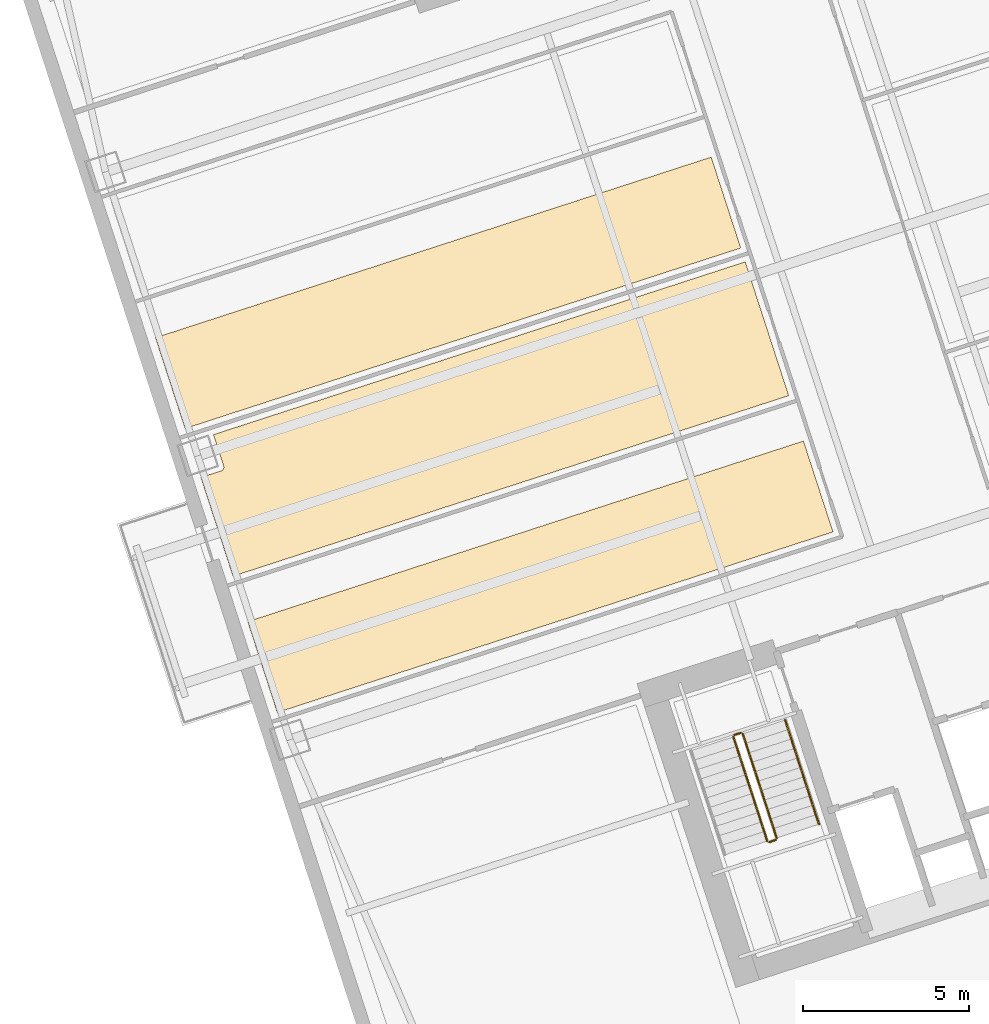
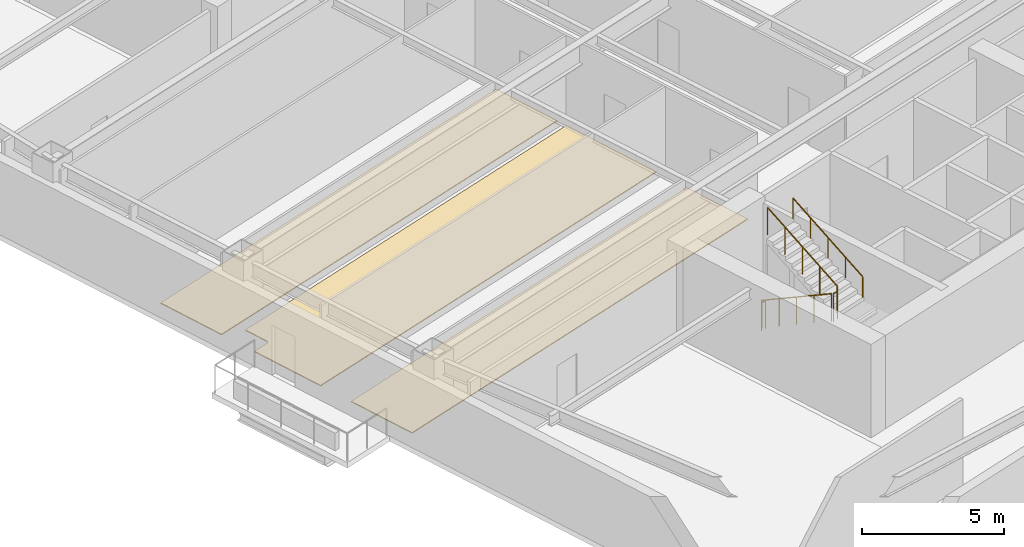
# One storey, part 15 of 18: 5 railings, 3 coverings.
"""IFC4 building model written with IfcOpenShell, lengths in metres."""

import ifcopenshell
import ifcopenshell.guid

model = None  # the IFC model being written
_history = None  # IfcOwnerHistory: only IFC2X3 demands one
_inside = {}  # id of a spatial element -> (the spatial element, [elements in it])
_under = {}  # id of a project, library or spatial element -> (it, [spatial elements below it])
_declared = {}  # id of a project -> (the project, [libraries it declares])
_typed = {}  # id of a type object -> (the type object, [elements of that type])
_made_of = {}  # id of a material, layer set ... -> (it, [elements and type objects made of it])


def new_model(schema):
    """Start an empty IFC model of exactly this schema.

    Asked for "IFC4X3", IfcOpenShell would pick the latest addendum, in which some entities
    have other attributes; the version numbers below select the first issue.
    IFC2X3 requires an IfcOwnerHistory on every rooted entity: one is made here for all.
    """
    global model, _history
    if schema == "IFC4X3":
        model = ifcopenshell.file(schema_version=(4, 3, 0, 0))
    else:
        model = ifcopenshell.file(schema=schema)
    _inside.clear()
    _under.clear()
    _declared.clear()
    _typed.clear()
    _made_of.clear()
    _history = None
    if model.schema == "IFC2X3":
        org = make("IfcOrganization", Name="unknown")
        user = make(
            "IfcPersonAndOrganization",
            ThePerson=make("IfcPerson", FamilyName="unknown"),
            TheOrganization=org,
        )
        app = make(
            "IfcApplication",
            ApplicationDeveloper=org,
            Version="unknown",
            ApplicationFullName="unknown",
            ApplicationIdentifier="unknown",
        )
        _history = make(
            "IfcOwnerHistory",
            OwningUser=user,
            OwningApplication=app,
            ChangeAction="ADDED",
            CreationDate=0,
        )
    return model


def make(cls, **values):
    """One entity of the class cls with the attributes given. An attribute that is None is left unset."""
    return model.create_entity(
        cls, **{name: value for name, value in values.items() if value is not None}
    )


def rooted(cls, **values):
    """An entity with a GlobalId (a new one), such as an element, a storey or a relation."""
    return make(cls, GlobalId=ifcopenshell.guid.new(), OwnerHistory=_history, **values)


def si_unit(unit_type, name, prefix=None):
    """IfcSIUnit, for example si_unit("LENGTHUNIT", "METRE", prefix="MILLI")."""
    return make("IfcSIUnit", UnitType=unit_type, Prefix=prefix, Name=name)


def assignment(units):
    """IfcUnitAssignment: the units of a project."""
    return None if units is None else make("IfcUnitAssignment", Units=units)


def point(xyz):
    """IfcCartesianPoint."""
    return None if xyz is None else make("IfcCartesianPoint", Coordinates=xyz)


def direction(xyz):
    """IfcDirection."""
    return None if xyz is None else make("IfcDirection", DirectionRatios=xyz)


def frame(location, z_axis=None, x_axis=None):
    """IfcAxis2Placement3D, a coordinate frame: its origin and axes. An axis left out is left unset."""
    return make(
        "IfcAxis2Placement3D",
        Location=point(location),
        Axis=direction(z_axis),
        RefDirection=direction(x_axis),
    )


def frame_2d(location, x_axis=None):
    """IfcAxis2Placement2D, a coordinate frame in the plane: its origin and x axis."""
    return make(
        "IfcAxis2Placement2D", Location=point(location), RefDirection=direction(x_axis)
    )


def origin():
    """The frame at (0, 0, 0) with its axes left unset."""
    return frame((0.0, 0.0, 0.0))


def origin_2d():
    """The frame at (0, 0) in the plane with its x axis left unset."""
    return frame_2d((0.0, 0.0))


def place(relative_to, where):
    """IfcLocalPlacement: puts the frame where relative to a parent placement (None: the world)."""
    return make(
        "IfcLocalPlacement", PlacementRelTo=relative_to, RelativePlacement=where
    )


def context(
    kind, dimensions, precision=None, world=None, true_north=None, identifier=None
):
    """IfcGeometricRepresentationContext, for example the 3D "Model" context."""
    return make(
        "IfcGeometricRepresentationContext",
        ContextIdentifier=identifier,
        ContextType=kind,
        CoordinateSpaceDimension=dimensions,
        Precision=precision,
        WorldCoordinateSystem=world,
        TrueNorth=true_north,
    )


def subcontext(parent, identifier, kind, view, scale=None):
    """IfcGeometricRepresentationSubContext, for example "Body" below "Model"."""
    return make(
        "IfcGeometricRepresentationSubContext",
        ContextIdentifier=identifier,
        ContextType=kind,
        ParentContext=parent,
        TargetScale=scale,
        TargetView=view,
    )


def project(units=None, contexts=None):
    """IfcProject with its units and contexts."""
    return rooted(
        "IfcProject",
        Name="project",
        RepresentationContexts=contexts,
        UnitsInContext=assignment(units),
    )


def spatial(cls, under=None, at=None, **own):
    """A site, building, storey or space (cls), placed at a placement, below another one or the project."""
    s = rooted(cls, ObjectPlacement=at, **own)
    if under is not None:
        _under.setdefault(under.id(), (under, []))[1].append(s)
    return s


def polyline(points):
    """IfcPolyline through the points."""
    return make("IfcPolyline", Points=[point(p) for p in points])


def profile(cls, at=None, kind="AREA", **sizes):
    """A parametric profile (cls). Its sizes go by their IFC names, for example OverallWidth=200.0."""
    return make(cls, ProfileType=kind, Position=at, **sizes)


def circle(**sizes):
    """IfcCircleProfileDef."""
    return profile("IfcCircleProfileDef", **sizes)


def outline(outer, holes=None, kind="AREA"):
    """IfcArbitraryClosedProfileDef: a profile drawn as a closed curve; with holes, ...WithVoids."""
    if holes is None:
        return make("IfcArbitraryClosedProfileDef", ProfileType=kind, OuterCurve=outer)
    return make(
        "IfcArbitraryProfileDefWithVoids",
        ProfileType=kind,
        OuterCurve=outer,
        InnerCurves=holes,
    )


def extrude(swept, where, along, depth):
    """IfcExtrudedAreaSolid: the profile swept, set in the frame where, extruded along a direction by depth."""
    return make(
        "IfcExtrudedAreaSolid",
        SweptArea=swept,
        Position=where,
        ExtrudedDirection=direction(along),
        Depth=depth,
    )


def shape(context_of_items, identifier, shape_type, items):
    """IfcShapeRepresentation: the items that make up one representation, for example the "Body"."""
    return make(
        "IfcShapeRepresentation",
        ContextOfItems=context_of_items,
        RepresentationIdentifier=identifier,
        RepresentationType=shape_type,
        Items=items,
    )


def material(Name=None, Category=None):
    """IfcMaterial."""
    return make("IfcMaterial", Name=Name, Category=Category)


def layer(
    of_material, thickness, ventilated=None, Name=None, Category=None, Priority=None
):
    """IfcMaterialLayer: one layer of a wall or slab, of a material (None: an air gap)."""
    return make(
        "IfcMaterialLayer",
        Material=of_material,
        LayerThickness=thickness,
        IsVentilated=ventilated,
        Name=Name,
        Category=Category,
        Priority=Priority,
    )


def layer_set(layers, Name=None):
    """IfcMaterialLayerSet."""
    return make("IfcMaterialLayerSet", MaterialLayers=layers, LayerSetName=Name)


def made_of(thing, what):
    """Note that an element or type object is made of a material, layer set ...; save() writes the relation."""
    if what is not None:
        _made_of.setdefault(what.id(), (what, []))[1].append(thing)
    return thing


def type_object(cls, material=None, **own):
    """A type object (cls), such as IfcWallType, which elements share."""
    return made_of(rooted(cls, **own), material)


def element(
    cls,
    number,
    at=None,
    inside=None,
    cuts=None,
    type_object=None,
    material=None,
    context=None,
    identifier="Body",
    shape_type=None,
    held_by="IfcProductDefinitionShape",
    body=None,
    shapes=None,
    **own,
):
    """One element of the class cls, such as IfcWall. Its Tag is "e" and its number.

    at: its placement. inside: the storey or other place that contains it. cuts: it is an
    opening in that element (IfcRelVoidsElement). A single representation is given by context,
    identifier, shape_type and body (its items); several are given by shapes. held_by: the class
    of the entity that holds the representations. save() writes the other relations.
    """
    e = rooted(cls, Tag="e%d" % number, ObjectPlacement=at, **own)
    if body is not None:
        shapes = [shape(context, identifier, shape_type, body)]
    if shapes is not None:
        e.Representation = make(held_by, Representations=shapes)
    if inside is not None:
        _inside.setdefault(inside.id(), (inside, []))[1].append(e)
    if cuts is not None:
        rooted(
            "IfcRelVoidsElement", RelatingBuildingElement=cuts, RelatedOpeningElement=e
        )
    if type_object is not None:
        _typed.setdefault(type_object.id(), (type_object, []))[1].append(e)
    return made_of(e, material)


def aggregate(whole, parts):
    """IfcRelAggregates: a whole, such as a stair, and the parts it consists of."""
    return rooted("IfcRelAggregates", RelatingObject=whole, RelatedObjects=parts)


def save(model, path):
    """Write the relations noted so far, then the file.

    IfcRelAggregates (storeys below a building ...), IfcRelContainedInSpatialStructure (elements
    in a storey), IfcRelDefinesByType, IfcRelAssociatesMaterial and IfcRelDeclares: one each for
    every whole, place, type object, material and project.
    """
    for whole, parts in _under.values():
        aggregate(whole, parts)
    for where, things in _inside.values():
        rooted(
            "IfcRelContainedInSpatialStructure",
            RelatedElements=things,
            RelatingStructure=where,
        )
    for kind, things in _typed.values():
        rooted("IfcRelDefinesByType", RelatedObjects=things, RelatingType=kind)
    for what, things in _made_of.values():
        rooted("IfcRelAssociatesMaterial", RelatedObjects=things, RelatingMaterial=what)
    for by, libraries in _declared.values():
        rooted("IfcRelDeclares", RelatingContext=by, RelatedDefinitions=libraries)
    model.write(path)


model = new_model("IFC4")

# Units and contexts
model_context = context("Model", 3, precision=1e-05, world=origin(), true_north=direction((0.0, 1.0)))
body_context = subcontext(model_context, "Body", "Model", "MODEL_VIEW")
ifc_project = project(units=[si_unit("LENGTHUNIT", "METRE"), si_unit("AREAUNIT", "SQUARE_METRE"), si_unit("VOLUMEUNIT", "CUBIC_METRE"), si_unit("PLANEANGLEUNIT", "RADIAN"), si_unit("MASSUNIT", "GRAM", prefix="KILO")], contexts=[model_context])

# Site, building, storey
site_placement = place(None, origin())
site = spatial("IfcSite", under=ifc_project, at=site_placement, CompositionType="ELEMENT")
building_placement = place(site_placement, origin())
building = spatial("IfcBuilding", under=site, at=building_placement, Name="Qiaolan Cultural Towers", CompositionType="ELEMENT")
storey_placement = place(building_placement, frame((0.0, 0.0, 38.0)))
storey = spatial("IfcBuildingStorey", under=building, at=storey_placement, Name="L08", CompositionType="ELEMENT", Elevation=38.0)

# Coverings
ifc_material_1 = material(Name="Honed Terrazzo & Raised Access Flooring", Category="concrete")
ifc_layer = layer(ifc_material_1, 0.0400390625)
ifc_layer_set = layer_set([ifc_layer], Name="Honed Terrazzo & Raised Access Flooring")
covering_type = type_object("IfcCoveringType", Name="COV-FLR-STONE", PredefinedType="FLOORING", material=ifc_layer_set)
covering_1_placement = place(storey_placement, origin())
element("IfcCovering", 1, at=covering_1_placement, inside=storey, type_object=covering_type, Name="L08 Project Briefing Room Finish Flooring", PredefinedType="FLOORING", context=body_context, shape_type="SweptSolid", body=[
    extrude(outline(polyline([(91.604248046875, 26.00439453125), (90.71435546875, 28.743408203125), (73.96142578125, 23.300048828125), (74.851318359375, 20.56103515625), (91.604248046875, 26.00439453125)])), origin(), (0.0, 0.0, 1.0), 0.0400390625),
])
covering_2_placement = place(storey_placement, origin())
element("IfcCovering", 2, at=covering_2_placement, inside=storey, type_object=covering_type, Name="L08 Curatorial Research Office Finish Flooring", PredefinedType="FLOORING", context=body_context, shape_type="SweptSolid", body=[
    extrude(outline(polyline([(73.23486328125, 27.995361328125), (73.238037109375, 27.984130859375), (73.239990234375, 27.972412109375), (73.24072265625, 27.960693359375), (73.240478515625, 27.948974609375), (73.239013671875, 27.937255859375), (73.236328125, 27.92578125), (73.232666015625, 27.91455078125), (73.227783203125, 27.90380859375), (73.221923828125, 27.8935546875), (73.215087890625, 27.884033203125), (73.207275390625, 27.875244140625), (73.19873046875, 27.8671875), (73.189453125, 27.85986328125), (73.179443359375, 27.853759765625), (73.1689453125, 27.848388671875), (73.157958984375, 27.84423828125), (72.54931640625, 27.646484375), (73.516357421875, 24.669677734375), (90.269287109375, 30.113037109375), (88.958984375, 34.1455078125), (72.928955078125, 28.93701171875), (73.23486328125, 27.995361328125)])), origin(), (0.0, 0.0, 1.0), 0.0400390625),
])
covering_3_placement = place(storey_placement, origin())
element("IfcCovering", 3, at=covering_3_placement, inside=storey, type_object=covering_type, Name="L08 Wellness Consultation Room Finish Flooring", PredefinedType="FLOORING", context=body_context, shape_type="SweptSolid", body=[
    extrude(outline(polyline([(88.8232421875, 34.56396484375), (87.93310546875, 37.302978515625), (71.180419921875, 31.859619140625), (72.0703125, 29.12060546875), (88.8232421875, 34.56396484375)])), origin(), (0.0, 0.0, 1.0), 0.0400390625),
])

# Railings
ifc_material_2 = material(Name="Galvanized Painted Steel Stair Guardrail", Category="steel")
railing_type_1 = type_object("IfcRailingType", Name="RL-STAIR-GRD", PredefinedType="GUARDRAIL", material=ifc_material_2)
railing_1_placement = place(storey_placement, frame((88.60205078125, 19.82421875, 0.166748046875)))
element("IfcRailing", 4, at=railing_1_placement, inside=storey, type_object=railing_type_1, Name="L08 ST-E1 stair guard 1", PredefinedType="GUARDRAIL", context=body_context, shape_type="SweptSolid", body=[
    extrude(circle(Radius=0.02392578125, at=origin_2d()), frame((0.0, 0.0, 1.17578125), z_axis=(0.270140520196, -0.831375721119, 0.485632072336), x_axis=(0.951053095941, 0.309027520945, 0.0)), (0.0, 0.0, 1.0), 3.77490234375),
    extrude(circle(Radius=0.02099609375, at=origin_2d()), origin(), (0.0, 0.0, 1.0), 1.15185546875),
    extrude(circle(Radius=0.02099609375, at=origin_2d()), frame((0.2548828125, -0.78466796875, 0.458251953125)), (0.0, 0.0, 1.0), 1.15185546875),
    extrude(circle(Radius=0.02099609375, at=origin_2d()), frame((0.509765625, -1.5693359375, 0.91650390625)), (0.0, 0.0, 1.0), 1.15185546875),
    extrude(circle(Radius=0.02099609375, at=origin_2d()), frame((0.764892578125, -2.353759765625, 1.375)), (0.0, 0.0, 1.0), 1.15185546875),
    extrude(circle(Radius=0.02099609375, at=origin_2d()), frame((1.019775390625, -3.138427734375, 1.833251953125)), (0.0, 0.0, 1.0), 1.15185546875),
])
railing_2_placement = place(storey_placement, frame((89.684814453125, 16.653564453125, 2.0)))
element("IfcRailing", 5, at=railing_2_placement, inside=storey, type_object=railing_type_1, Name="L08 ST-E1 stair guard 2", PredefinedType="GUARDRAIL", context=body_context, shape_type="SweptSolid", body=[
    extrude(circle(Radius=0.02392578125, at=origin_2d()), frame((0.0, 0.0, 1.17578125), z_axis=(0.951096855055, 0.308892816854, 0.0), x_axis=(-0.308892816854, 0.951096855055, 0.0)), (0.0, 0.0, 1.0), 0.199951171875),
    extrude(circle(Radius=0.02099609375, at=origin_2d()), origin(), (0.0, 0.0, 1.0), 1.15185546875),
    extrude(circle(Radius=0.02099609375, at=origin_2d()), frame((0.190185546875, 0.061767578125, 0.0)), (0.0, 0.0, 1.0), 1.15185546875),
])
railing_3_placement = place(storey_placement, frame((89.9072265625, 16.778564453125, 2.166748046875)))
element("IfcRailing", 6, at=railing_3_placement, inside=storey, type_object=railing_type_1, Name="L08 ST-E1 stair guard 3", PredefinedType="GUARDRAIL", context=body_context, shape_type="SweptSolid", body=[
    extrude(circle(Radius=0.02392578125, at=origin_2d()), frame((0.0, 0.0, 1.17578125), z_axis=(-0.270140520196, 0.831375721119, 0.485632072336), x_axis=(-0.951053095941, -0.309027520945, 0.0)), (0.0, 0.0, 1.0), 3.77490234375),
    extrude(circle(Radius=0.02099609375, at=origin_2d()), origin(), (0.0, 0.0, 1.0), 1.15185546875),
    extrude(circle(Radius=0.02099609375, at=origin_2d()), frame((-0.2548828125, 0.78466796875, 0.458251953125)), (0.0, 0.0, 1.0), 1.15185546875),
    extrude(circle(Radius=0.02099609375, at=origin_2d()), frame((-0.509765625, 1.5693359375, 0.91650390625)), (0.0, 0.0, 1.0), 1.15185546875),
    extrude(circle(Radius=0.02099609375, at=origin_2d()), frame((-0.764892578125, 2.353759765625, 1.375)), (0.0, 0.0, 1.0), 1.15185546875),
    extrude(circle(Radius=0.02099609375, at=origin_2d()), frame((-1.019775390625, 3.138427734375, 1.833251953125)), (0.0, 0.0, 1.0), 1.15185546875),
])
railing_4_placement = place(storey_placement, frame((88.63427734375, 19.88720703125, 0.0)))
element("IfcRailing", 7, at=railing_4_placement, inside=storey, type_object=railing_type_1, Name="L08 ST-E1 stair guard 4", PredefinedType="GUARDRAIL", context=body_context, shape_type="SweptSolid", body=[
    extrude(circle(Radius=0.02392578125, at=origin_2d()), frame((0.0, 0.0, 1.17578125), z_axis=(0.951096855055, 0.308892816854, 0.0), x_axis=(-0.308892816854, 0.951096855055, 0.0)), (0.0, 0.0, 1.0), 0.199951171875),
    extrude(circle(Radius=0.02099609375, at=origin_2d()), origin(), (0.0, 0.0, 1.0), 1.15185546875),
    extrude(circle(Radius=0.02099609375, at=origin_2d()), frame((0.190185546875, 0.061767578125, 0.0)), (0.0, 0.0, 1.0), 1.15185546875),
])
ifc_material_3 = material(Name="Stainless Steel S30408 Tubular Handrail", Category="steel")
railing_type_2 = type_object("IfcRailingType", Name="RL-STAIR-HR", PredefinedType="HANDRAIL", material=ifc_material_3)
railing_5_placement = place(storey_placement, frame((91.181640625, 17.192626953125, 2.166748046875)))
element("IfcRailing", 8, at=railing_5_placement, inside=storey, type_object=railing_type_2, Name="L08 ST-E1 stair handrail 2", PredefinedType="HANDRAIL", context=body_context, shape_type="SweptSolid", body=[
    extrude(circle(Radius=0.02392578125, at=origin_2d()), frame((0.0, 0.0, 0.8759765625), z_axis=(-0.270140520196, 0.831375721119, 0.485632072336), x_axis=(-0.951053095941, -0.309027520945, 0.0)), (0.0, 0.0, 1.0), 3.77490234375),
    extrude(circle(Radius=0.02099609375, at=origin_2d()), origin(), (0.0, 0.0, 1.0), 0.851806640625),
    extrude(circle(Radius=0.02099609375, at=origin_2d()), frame((-0.2548828125, 0.78466796875, 0.458251953125)), (0.0, 0.0, 1.0), 0.851806640625),
    extrude(circle(Radius=0.02099609375, at=origin_2d()), frame((-0.509765625, 1.5693359375, 0.91650390625)), (0.0, 0.0, 1.0), 0.851806640625),
    extrude(circle(Radius=0.02099609375, at=origin_2d()), frame((-0.764892578125, 2.353759765625, 1.375)), (0.0, 0.0, 1.0), 0.851806640625),
    extrude(circle(Radius=0.02099609375, at=origin_2d()), frame((-1.019775390625, 3.138427734375, 1.833251953125)), (0.0, 0.0, 1.0), 0.851806640625),
])

save(model, "model.ifc")
